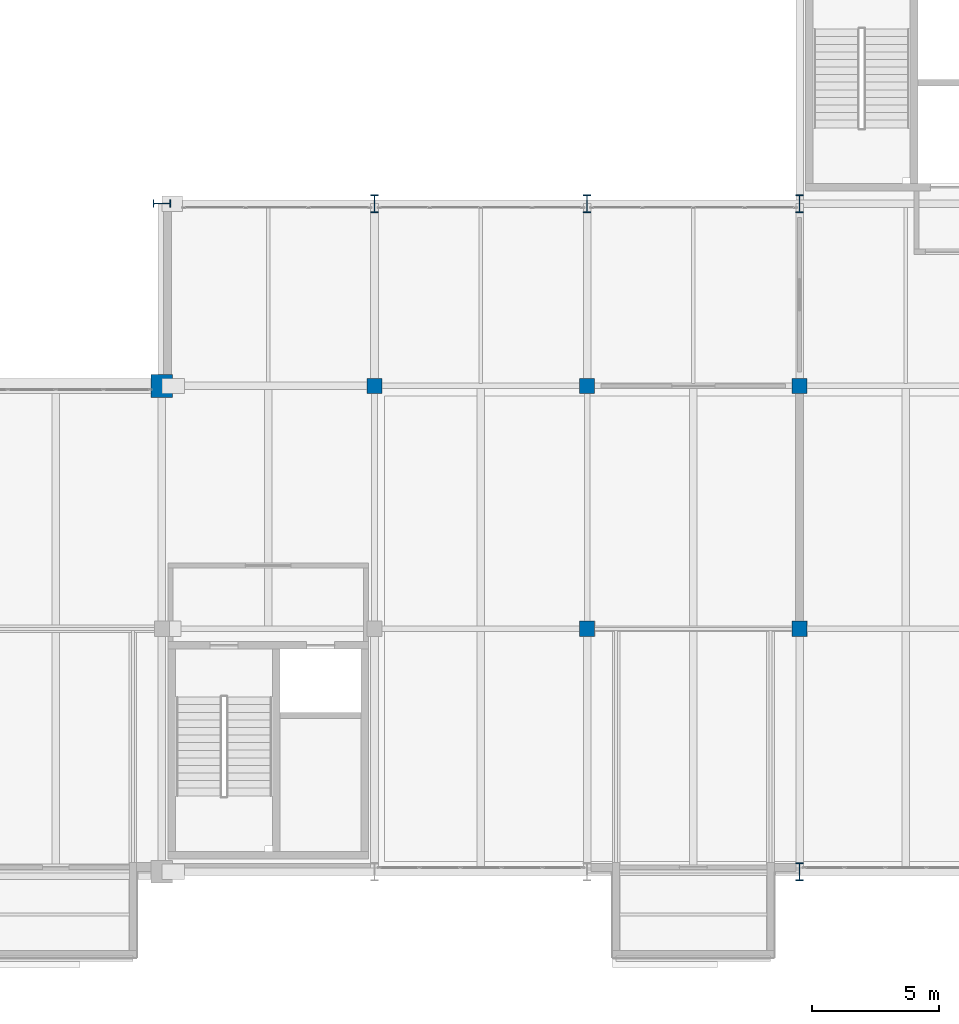
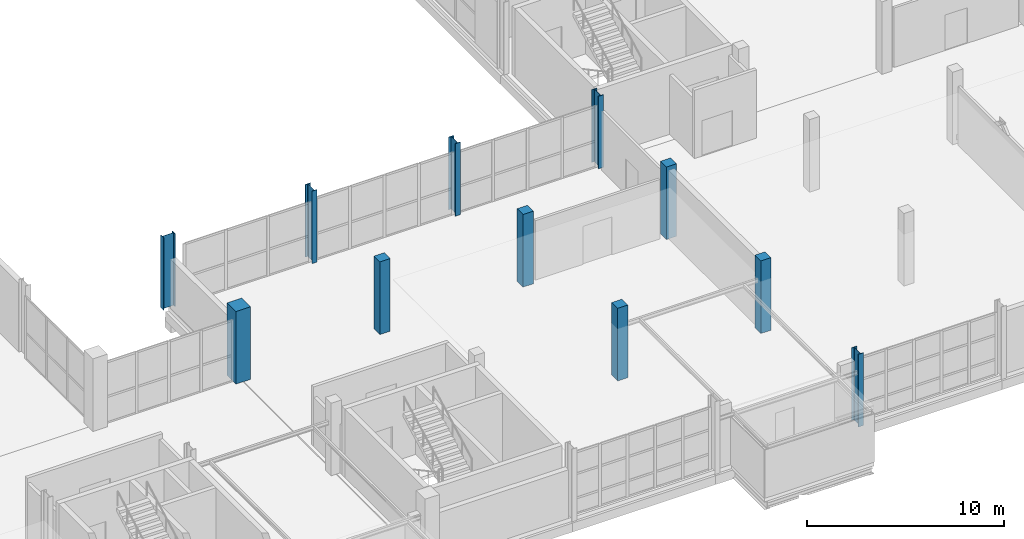
# One storey, part 6 of 113: 11 columns.
"""IFC4 building model written with IfcOpenShell, lengths in metres."""

from ifc_helpers import new_model, si_unit, direction, frame, origin, origin_2d, place, context, subcontext, project, spatial, rectangle, i_section, extrude, material, material_profile, profile_set, type_object, element, save


model = new_model("IFC4")

# Units and contexts
model_context = context("Model", 3, precision=1e-05, world=origin(), true_north=direction((0.0, 1.0)))
body_context = subcontext(model_context, "Body", "Model", "MODEL_VIEW")
ifc_project = project(units=[si_unit("LENGTHUNIT", "METRE"), si_unit("AREAUNIT", "SQUARE_METRE"), si_unit("VOLUMEUNIT", "CUBIC_METRE"), si_unit("PLANEANGLEUNIT", "RADIAN"), si_unit("MASSUNIT", "GRAM", prefix="KILO")], contexts=[model_context])

# Site, building, storey
site_placement = place(None, origin())
site = spatial("IfcSite", under=ifc_project, at=site_placement, CompositionType="ELEMENT")
building_placement = place(site_placement, origin())
building = spatial("IfcBuilding", under=site, at=building_placement, Name="Veltarok Museum of Natural Sciences", CompositionType="ELEMENT")
storey_placement = place(building_placement, frame((0.0, 0.0, 8.39990234375)))
storey = spatial("IfcBuildingStorey", under=building, at=storey_placement, Name="L01", CompositionType="ELEMENT", Elevation=8.39990234375)

# Columns
ifc_material_1 = material(Name="Concrete C40/50", Category="concrete")
ifc_material_profile_1 = material_profile(ifc_material_1, rectangle(XDim=0.60009765625, YDim=0.60009765625, at=origin_2d()), Name="RC 600x600")
ifc_profile_set_1 = profile_set([ifc_material_profile_1], Name="Concrete C40/50")
column_type_1 = type_object("IfcColumnType", Name="Conservation Wing Column RC 600x600", PredefinedType="COLUMN", material=ifc_profile_set_1)
for number, where, z_axis, x_axis, name in (
    (1, (115.60009765625, 19.199951171875, 0.0), (0.0, 0.0, 1.0), (1.0, 0.0, 0.0), "Column COL-RC02 L01 14/C"),
    (2, (124.0, 9.60009765625, 0.0), (0.0, 0.0, 1.0), (1.0, 0.0, 0.0), "Column COL-RC02 L01 15/B"),
    (3, (124.0, 19.199951171875, 0.0), (0.0, 0.0, 1.0), (1.0, 0.0, 0.0), "Column COL-RC02 L01 15/C"),
    (4, (132.39990234375, 9.60009765625, 0.0), (0.0, 0.0, 1.0), (1.0, 0.0, 0.0), "Column COL-RC02 L01 16/B"),
    (5, (132.39990234375, 19.199951171875, 0.0), (0.0, 0.0, 1.0), (1.0, 0.0, 0.0), "Column COL-RC02 L01 16/C"),
):
    element("IfcColumn", number, at=place(storey_placement, frame(where, z_axis=z_axis, x_axis=x_axis)), inside=storey, type_object=column_type_1, Name=name, PredefinedType="COLUMN", context=body_context, shape_type="SweptSolid", body=[
        extrude(rectangle(XDim=0.60009765625, YDim=0.60009765625, at=origin_2d()), origin(), (0.0, 0.0, 1.0), 4.5),
    ])
ifc_material_profile_2 = material_profile(ifc_material_1, rectangle(XDim=0.85009765625, YDim=0.89990234375, at=origin_2d()), Name="RC 850x900")
ifc_profile_set_2 = profile_set([ifc_material_profile_2], Name="Concrete C40/50")
column_type_2 = type_object("IfcColumnType", Name="Exposed Cabinet Grid Column RC 850x900", PredefinedType="COLUMN", material=ifc_profile_set_2)
column_placement = place(storey_placement, frame((107.199951171875, 19.199951171875, 0.0), z_axis=(0.0, 0.0, 1.0), x_axis=(1.0, 0.0, 0.0)))
element("IfcColumn", 6, at=column_placement, inside=storey, type_object=column_type_2, Name="Column COL-CAB01 L01 13/C", PredefinedType="COLUMN", context=body_context, shape_type="SweptSolid", body=[
    extrude(rectangle(XDim=0.85009765625, YDim=0.89990234375, at=origin_2d()), origin(), (0.0, 0.0, 1.0), 4.5),
])
ifc_material_2 = material(Name="Steel S355J2", Category="steel")
ifc_material_profile_3 = material_profile(ifc_material_2, i_section(OverallWidth=0.300048828125, OverallDepth=0.699951171875, WebThickness=0.01708984375, FlangeThickness=0.031982421875, FilletRadius=0.027099609375, at=origin_2d()), Name="HEB 700")
ifc_profile_set_3 = profile_set([ifc_material_profile_3], Name="Steel S355J2")
column_type_3 = type_object("IfcColumnType", Name="Perimeter Steel Column HEB 700", PredefinedType="COLUMN", material=ifc_profile_set_3)
for number, where, z_axis, x_axis, name in (
    (7, (107.199951171875, 26.39990234375, 0.0), (0.0, 0.0, 1.0), (0.0, 1.0, 0.0), "Column COL-EXT01 L01 13/D"),
    (8, (115.60009765625, 26.39990234375, 0.0), (0.0, 0.0, 1.0), (1.0, 0.0, 0.0), "Column COL-EXT01 L01 14/D"),
    (9, (124.0, 26.39990234375, 0.0), (0.0, 0.0, 1.0), (1.0, 0.0, 0.0), "Column COL-EXT01 L01 15/D"),
    (10, (132.39990234375, 0.0, 0.0), (0.0, 0.0, 1.0), (1.0, 0.0, 0.0), "Column COL-EXT01 L01 16/A"),
    (11, (132.39990234375, 26.39990234375, 0.0), (0.0, 0.0, 1.0), (1.0, 0.0, 0.0), "Column COL-EXT01 L01 16/D"),
):
    element("IfcColumn", number, at=place(storey_placement, frame(where, z_axis=z_axis, x_axis=x_axis)), inside=storey, type_object=column_type_3, Name=name, PredefinedType="COLUMN", context=body_context, shape_type="SweptSolid", body=[
        extrude(i_section(OverallWidth=0.300048828125, OverallDepth=0.699951171875, WebThickness=0.01708984375, FlangeThickness=0.031982421875, FilletRadius=0.027099609375, at=origin_2d()), origin(), (0.0, 0.0, 1.0), 4.5),
    ])

save(model, "model.ifc")
